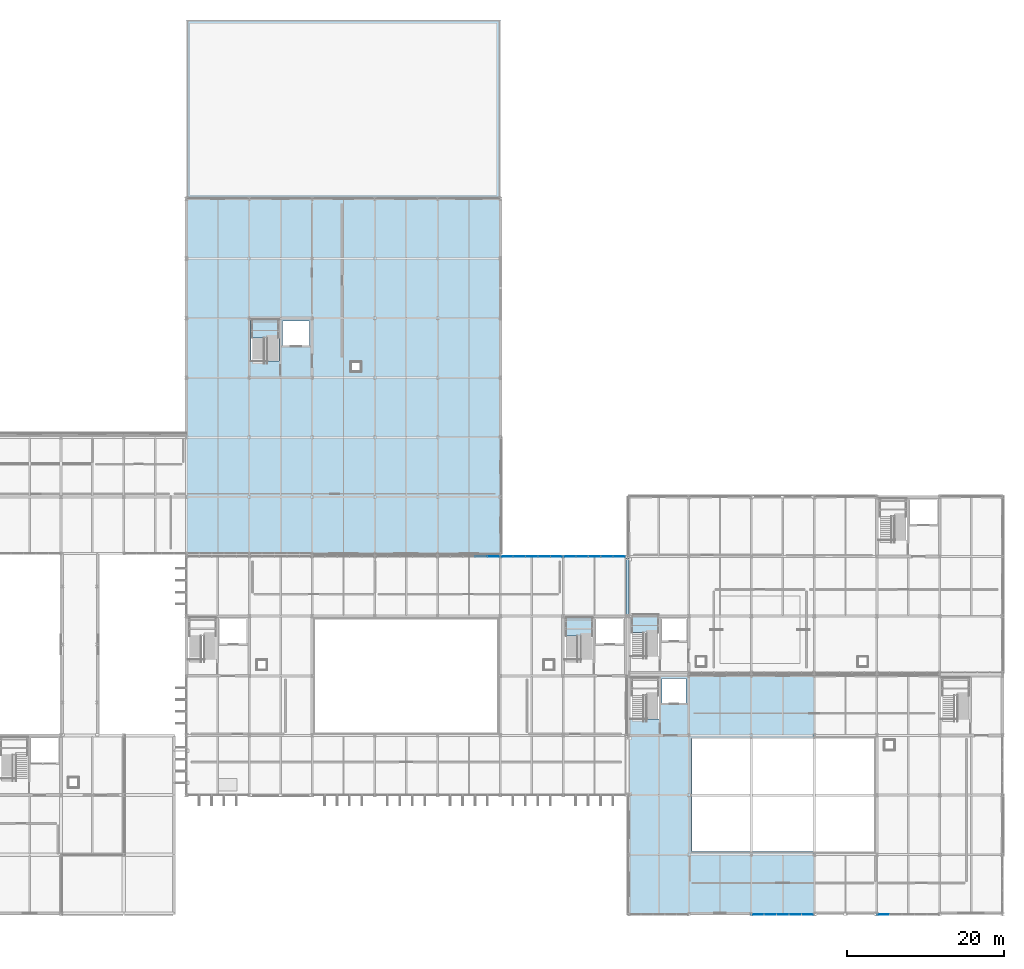
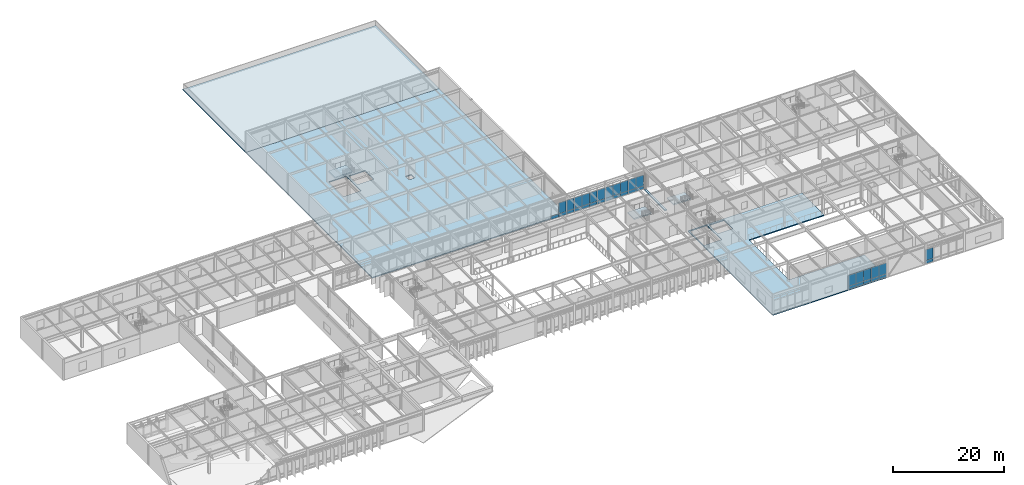
# One storey, part 74 of 104: 35 plates, 7 slabs, 9 elements without a shape of their own.
"""IFC4 building model written with IfcOpenShell, lengths in metres."""

from ifc_helpers import new_model, si_unit, direction, frame, origin, origin_2d, place, context, subcontext, project, spatial, polyline, rectangle, outline, extrude, material, layer, layer_set, type_object, element, aggregate, save


model = new_model("IFC4")

# Units and contexts
model_context = context("Model", 3, precision=1e-05, world=origin(), true_north=direction((0.0, 1.0)))
body_context = subcontext(model_context, "Body", "Model", "MODEL_VIEW")
ifc_project = project(units=[si_unit("LENGTHUNIT", "METRE"), si_unit("AREAUNIT", "SQUARE_METRE"), si_unit("VOLUMEUNIT", "CUBIC_METRE"), si_unit("PLANEANGLEUNIT", "RADIAN"), si_unit("MASSUNIT", "GRAM", prefix="KILO")], contexts=[model_context])

# Site, building, storey
site_placement = place(None, origin())
site = spatial("IfcSite", under=ifc_project, at=site_placement, CompositionType="ELEMENT")
building_placement = place(site_placement, origin())
building = spatial("IfcBuilding", under=site, at=building_placement, Name="Zulena Civic Courthouse", CompositionType="ELEMENT")
storey_placement = place(building_placement, frame((0.0, 0.0, 10.800048828125)))
storey = spatial("IfcBuildingStorey", under=building, at=storey_placement, Name="L02", CompositionType="ELEMENT", Elevation=10.800048828125)

# Slab
ifc_material_1 = material(Name="Concrete C35/45", Category="concrete")
ifc_layer_1 = layer(ifc_material_1, 0.195068359375)
ifc_layer_set_1 = layer_set([ifc_layer_1], Name="Concrete C35/45")
slab_type_1 = type_object("IfcSlabType", Name="BridgeSlab_195", PredefinedType="FLOOR", material=ifc_layer_set_1)
slab_1_placement = place(storey_placement, frame((0.0, 0.0, -0.195068359375)))
element("IfcSlab", 1, at=slab_1_placement, inside=storey, type_object=slab_type_1, Name="slab:bridge:BR-43:L02", PredefinedType="FLOOR", context=body_context, shape_type="SweptSolid", body=[
    extrude(outline(polyline([(124.0, 38.0), (124.39990234375, 38.0), (124.39990234375, 45.39990234375), (124.0, 45.39990234375), (124.0, 38.0)])), origin(), (0.0, 0.0, 1.0), 0.195068359375),
])

# Curtain wall, plate
ifc_material_2 = material(Name="Double-silver low-E laminated solar-control glass", Category="glass")
curtain_wall_type = type_object("IfcCurtainWallType", Name="CW_7940x3690", PredefinedType="USERDEFINED", material=ifc_material_2)
curtain_wall_1_placement = place(storey_placement, origin())
curtain_wall_1 = element("IfcCurtainWall", 2, at=curtain_wall_1_placement, inside=storey, type_object=curtain_wall_type, Name="cw:V1:L02:3:1", ObjectType="UNITISED CURTAIN WALL", PredefinedType="USERDEFINED")
ifc_material_3 = material(Name="Ceramic-fritted insulated spandrel glass", Category="glass")
ifc_layer_2 = layer(ifc_material_3, 0.0458984375)
ifc_layer_set_2 = layer_set([ifc_layer_2], Name="Ceramic-fritted insulated spandrel glass")
plate_type_1 = type_object("IfcPlateType", Name="CWPanel_Spandrel_46", PredefinedType="CURTAIN_PANEL", material=ifc_layer_set_2)
plate_1_placement = place(storey_placement, frame((156.823974609375, 0.0, 0.070068359375), z_axis=(0.0, 0.0, 1.0), x_axis=(-1.0, 0.0, 0.0)))
plate_1 = element("IfcPlate", 3, at=plate_1_placement, type_object=plate_type_1, Name="cw:V1:L02:3:1:panS:4", PredefinedType="CURTAIN_PANEL", context=body_context, shape_type="SweptSolid", body=[
    extrude(rectangle(XDim=1.5380859375, YDim=0.0458984375, at=origin_2d()), origin(), (0.0, 0.0, 1.0), 0.669921875),
])

# Curtain wall, plates
curtain_wall_2_placement = place(storey_placement, origin())
curtain_wall_2 = element("IfcCurtainWall", 4, at=curtain_wall_2_placement, inside=storey, type_object=curtain_wall_type, Name="cw:V1:L02:3:3", ObjectType="UNITISED CURTAIN WALL", PredefinedType="USERDEFINED")
plate_2_placement = place(storey_placement, frame((147.176025390625, 0.0, 0.070068359375), z_axis=(0.0, 0.0, 1.0), x_axis=(-1.0, 0.0, 0.0)))
plate_2 = element("IfcPlate", 5, at=plate_2_placement, type_object=plate_type_1, Name="cw:V1:L02:3:3:panS:0", PredefinedType="CURTAIN_PANEL", context=body_context, shape_type="SweptSolid", body=[
    extrude(rectangle(XDim=1.5380859375, YDim=0.0458984375, at=origin_2d()), origin(), (0.0, 0.0, 1.0), 0.669921875),
])
plate_3_placement = place(storey_placement, frame((145.587890625, 0.0, 0.070068359375), z_axis=(0.0, 0.0, 1.0), x_axis=(-1.0, 0.0, 0.0)))
plate_3 = element("IfcPlate", 6, at=plate_3_placement, type_object=plate_type_1, Name="cw:V1:L02:3:3:panS:1", PredefinedType="CURTAIN_PANEL", context=body_context, shape_type="SweptSolid", body=[
    extrude(rectangle(XDim=1.5380859375, YDim=0.0458984375, at=origin_2d()), origin(), (0.0, 0.0, 1.0), 0.669921875),
])
plate_4_placement = place(storey_placement, frame((144.0, 0.0, 0.070068359375), z_axis=(0.0, 0.0, 1.0), x_axis=(-1.0, 0.0, 0.0)))
plate_4 = element("IfcPlate", 7, at=plate_4_placement, type_object=plate_type_1, Name="cw:V1:L02:3:3:panS:2", PredefinedType="CURTAIN_PANEL", context=body_context, shape_type="SweptSolid", body=[
    extrude(rectangle(XDim=1.5380859375, YDim=0.0458984375, at=origin_2d()), origin(), (0.0, 0.0, 1.0), 0.669921875),
])
plate_5_placement = place(storey_placement, frame((142.412109375, 0.0, 0.070068359375), z_axis=(0.0, 0.0, 1.0), x_axis=(-1.0, 0.0, 0.0)))
plate_5 = element("IfcPlate", 8, at=plate_5_placement, type_object=plate_type_1, Name="cw:V1:L02:3:3:panS:3", PredefinedType="CURTAIN_PANEL", context=body_context, shape_type="SweptSolid", body=[
    extrude(rectangle(XDim=1.5380859375, YDim=0.0458984375, at=origin_2d()), origin(), (0.0, 0.0, 1.0), 0.669921875),
])
plate_6_placement = place(storey_placement, frame((140.823974609375, 0.0, 0.070068359375), z_axis=(0.0, 0.0, 1.0), x_axis=(-1.0, 0.0, 0.0)))
plate_6 = element("IfcPlate", 9, at=plate_6_placement, type_object=plate_type_1, Name="cw:V1:L02:3:3:panS:4", PredefinedType="CURTAIN_PANEL", context=body_context, shape_type="SweptSolid", body=[
    extrude(rectangle(XDim=1.5380859375, YDim=0.0458984375, at=origin_2d()), origin(), (0.0, 0.0, 1.0), 0.669921875),
])

curtain_wall_3_placement = place(storey_placement, origin())
curtain_wall_3 = element("IfcCurtainWall", 10, at=curtain_wall_3_placement, inside=storey, type_object=curtain_wall_type, Name="cw:V4:L02:1:4", ObjectType="UNITISED CURTAIN WALL", PredefinedType="USERDEFINED")
plate_7_placement = place(storey_placement, frame((105.587890625, 45.60009765625, 0.070068359375), z_axis=(0.0, 0.0, 1.0), x_axis=(1.0, 0.0, 0.0)))
plate_7 = element("IfcPlate", 11, at=plate_7_placement, type_object=plate_type_1, Name="cw:V4:L02:1:4:panS:3", PredefinedType="CURTAIN_PANEL", context=body_context, shape_type="SweptSolid", body=[
    extrude(rectangle(XDim=1.5380859375, YDim=0.0458984375, at=origin_2d()), origin(), (0.0, 0.0, 1.0), 0.669921875),
])
plate_8_placement = place(storey_placement, frame((107.176025390625, 45.60009765625, 0.070068359375), z_axis=(0.0, 0.0, 1.0), x_axis=(1.0, 0.0, 0.0)))
plate_8 = element("IfcPlate", 12, at=plate_8_placement, type_object=plate_type_1, Name="cw:V4:L02:1:4:panS:4", PredefinedType="CURTAIN_PANEL", context=body_context, shape_type="SweptSolid", body=[
    extrude(rectangle(XDim=1.5380859375, YDim=0.0458984375, at=origin_2d()), origin(), (0.0, 0.0, 1.0), 0.669921875),
])

curtain_wall_4_placement = place(storey_placement, origin())
curtain_wall_4 = element("IfcCurtainWall", 13, at=curtain_wall_4_placement, inside=storey, type_object=curtain_wall_type, Name="cw:V4:L02:1:5", ObjectType="UNITISED CURTAIN WALL", PredefinedType="USERDEFINED")
plate_9_placement = place(storey_placement, frame((108.823974609375, 45.60009765625, 0.070068359375), z_axis=(0.0, 0.0, 1.0), x_axis=(1.0, 0.0, 0.0)))
plate_9 = element("IfcPlate", 14, at=plate_9_placement, type_object=plate_type_1, Name="cw:V4:L02:1:5:panS:0", PredefinedType="CURTAIN_PANEL", context=body_context, shape_type="SweptSolid", body=[
    extrude(rectangle(XDim=1.5380859375, YDim=0.0458984375, at=origin_2d()), origin(), (0.0, 0.0, 1.0), 0.669921875),
])
plate_10_placement = place(storey_placement, frame((110.412109375, 45.60009765625, 0.070068359375), z_axis=(0.0, 0.0, 1.0), x_axis=(1.0, 0.0, 0.0)))
plate_10 = element("IfcPlate", 15, at=plate_10_placement, type_object=plate_type_1, Name="cw:V4:L02:1:5:panS:1", PredefinedType="CURTAIN_PANEL", context=body_context, shape_type="SweptSolid", body=[
    extrude(rectangle(XDim=1.5380859375, YDim=0.0458984375, at=origin_2d()), origin(), (0.0, 0.0, 1.0), 0.669921875),
])
plate_11_placement = place(storey_placement, frame((112.0, 45.60009765625, 0.070068359375), z_axis=(0.0, 0.0, 1.0), x_axis=(1.0, 0.0, 0.0)))
plate_11 = element("IfcPlate", 16, at=plate_11_placement, type_object=plate_type_1, Name="cw:V4:L02:1:5:panS:2", PredefinedType="CURTAIN_PANEL", context=body_context, shape_type="SweptSolid", body=[
    extrude(rectangle(XDim=1.5380859375, YDim=0.0458984375, at=origin_2d()), origin(), (0.0, 0.0, 1.0), 0.669921875),
])
plate_12_placement = place(storey_placement, frame((113.587890625, 45.60009765625, 0.070068359375), z_axis=(0.0, 0.0, 1.0), x_axis=(1.0, 0.0, 0.0)))
plate_12 = element("IfcPlate", 17, at=plate_12_placement, type_object=plate_type_1, Name="cw:V4:L02:1:5:panS:3", PredefinedType="CURTAIN_PANEL", context=body_context, shape_type="SweptSolid", body=[
    extrude(rectangle(XDim=1.5380859375, YDim=0.0458984375, at=origin_2d()), origin(), (0.0, 0.0, 1.0), 0.669921875),
])
plate_13_placement = place(storey_placement, frame((115.176025390625, 45.60009765625, 0.070068359375), z_axis=(0.0, 0.0, 1.0), x_axis=(1.0, 0.0, 0.0)))
plate_13 = element("IfcPlate", 18, at=plate_13_placement, type_object=plate_type_1, Name="cw:V4:L02:1:5:panS:4", PredefinedType="CURTAIN_PANEL", context=body_context, shape_type="SweptSolid", body=[
    extrude(rectangle(XDim=1.5380859375, YDim=0.0458984375, at=origin_2d()), origin(), (0.0, 0.0, 1.0), 0.669921875),
])

curtain_wall_5_placement = place(storey_placement, origin())
curtain_wall_5 = element("IfcCurtainWall", 19, at=curtain_wall_5_placement, inside=storey, type_object=curtain_wall_type, Name="cw:V4:L02:1:6", ObjectType="UNITISED CURTAIN WALL", PredefinedType="USERDEFINED")
plate_14_placement = place(storey_placement, frame((116.823974609375, 45.60009765625, 0.070068359375), z_axis=(0.0, 0.0, 1.0), x_axis=(1.0, 0.0, 0.0)))
plate_14 = element("IfcPlate", 20, at=plate_14_placement, type_object=plate_type_1, Name="cw:V4:L02:1:6:panS:0", PredefinedType="CURTAIN_PANEL", context=body_context, shape_type="SweptSolid", body=[
    extrude(rectangle(XDim=1.5380859375, YDim=0.0458984375, at=origin_2d()), origin(), (0.0, 0.0, 1.0), 0.669921875),
])
plate_15_placement = place(storey_placement, frame((118.412109375, 45.60009765625, 0.070068359375), z_axis=(0.0, 0.0, 1.0), x_axis=(1.0, 0.0, 0.0)))
plate_15 = element("IfcPlate", 21, at=plate_15_placement, type_object=plate_type_1, Name="cw:V4:L02:1:6:panS:1", PredefinedType="CURTAIN_PANEL", context=body_context, shape_type="SweptSolid", body=[
    extrude(rectangle(XDim=1.5380859375, YDim=0.0458984375, at=origin_2d()), origin(), (0.0, 0.0, 1.0), 0.669921875),
])
plate_16_placement = place(storey_placement, frame((120.0, 45.60009765625, 0.070068359375), z_axis=(0.0, 0.0, 1.0), x_axis=(1.0, 0.0, 0.0)))
plate_16 = element("IfcPlate", 22, at=plate_16_placement, type_object=plate_type_1, Name="cw:V4:L02:1:6:panS:2", PredefinedType="CURTAIN_PANEL", context=body_context, shape_type="SweptSolid", body=[
    extrude(rectangle(XDim=1.5380859375, YDim=0.0458984375, at=origin_2d()), origin(), (0.0, 0.0, 1.0), 0.669921875),
])
plate_17_placement = place(storey_placement, frame((121.587890625, 45.60009765625, 0.070068359375), z_axis=(0.0, 0.0, 1.0), x_axis=(1.0, 0.0, 0.0)))
plate_17 = element("IfcPlate", 23, at=plate_17_placement, type_object=plate_type_1, Name="cw:V4:L02:1:6:panS:3", PredefinedType="CURTAIN_PANEL", context=body_context, shape_type="SweptSolid", body=[
    extrude(rectangle(XDim=1.5380859375, YDim=0.0458984375, at=origin_2d()), origin(), (0.0, 0.0, 1.0), 0.669921875),
])
plate_18_placement = place(storey_placement, frame((123.176025390625, 45.60009765625, 0.070068359375), z_axis=(0.0, 0.0, 1.0), x_axis=(1.0, 0.0, 0.0)))
plate_18 = element("IfcPlate", 24, at=plate_18_placement, type_object=plate_type_1, Name="cw:V4:L02:1:6:panS:4", PredefinedType="CURTAIN_PANEL", context=body_context, shape_type="SweptSolid", body=[
    extrude(rectangle(XDim=1.5380859375, YDim=0.0458984375, at=origin_2d()), origin(), (0.0, 0.0, 1.0), 0.669921875),
])

# Plate
ifc_layer_3 = layer(ifc_material_2, 0.035888671875)
ifc_layer_set_3 = layer_set([ifc_layer_3], Name="Double-silver low-E laminated solar-control glass")
plate_type_2 = type_object("IfcPlateType", Name="CWPanel_Vision_36", PredefinedType="CURTAIN_PANEL", material=ifc_layer_set_3)
plate_19_placement = place(storey_placement, frame((156.823974609375, 0.0, 0.760009765625), z_axis=(0.0, 0.0, 1.0), x_axis=(-1.0, 0.0, 0.0)))
plate_19 = element("IfcPlate", 25, at=plate_19_placement, type_object=plate_type_2, Name="cw:V1:L02:3:1:panV:4", PredefinedType="CURTAIN_PANEL", context=body_context, shape_type="SweptSolid", body=[
    extrude(rectangle(XDim=1.5380859375, YDim=0.035888671875, at=origin_2d()), origin(), (0.0, 0.0, 1.0), 2.3701171875),
])

aggregate(curtain_wall_1, [plate_19, plate_1])

plate_20_placement = place(storey_placement, frame((147.176025390625, 0.0, 0.760009765625), z_axis=(0.0, 0.0, 1.0), x_axis=(-1.0, 0.0, 0.0)))
plate_20 = element("IfcPlate", 26, at=plate_20_placement, type_object=plate_type_2, Name="cw:V1:L02:3:3:panV:0", PredefinedType="CURTAIN_PANEL", context=body_context, shape_type="SweptSolid", body=[
    extrude(rectangle(XDim=1.5380859375, YDim=0.035888671875, at=origin_2d()), origin(), (0.0, 0.0, 1.0), 2.3701171875),
])

plate_21_placement = place(storey_placement, frame((145.587890625, 0.0, 0.760009765625), z_axis=(0.0, 0.0, 1.0), x_axis=(-1.0, 0.0, 0.0)))
plate_21 = element("IfcPlate", 27, at=plate_21_placement, type_object=plate_type_2, Name="cw:V1:L02:3:3:panV:1", PredefinedType="CURTAIN_PANEL", context=body_context, shape_type="SweptSolid", body=[
    extrude(rectangle(XDim=1.5380859375, YDim=0.035888671875, at=origin_2d()), origin(), (0.0, 0.0, 1.0), 2.3701171875),
])

plate_22_placement = place(storey_placement, frame((144.0, 0.0, 0.760009765625), z_axis=(0.0, 0.0, 1.0), x_axis=(-1.0, 0.0, 0.0)))
plate_22 = element("IfcPlate", 28, at=plate_22_placement, type_object=plate_type_2, Name="cw:V1:L02:3:3:panV:2", PredefinedType="CURTAIN_PANEL", context=body_context, shape_type="SweptSolid", body=[
    extrude(rectangle(XDim=1.5380859375, YDim=0.035888671875, at=origin_2d()), origin(), (0.0, 0.0, 1.0), 2.3701171875),
])

plate_23_placement = place(storey_placement, frame((142.412109375, 0.0, 0.760009765625), z_axis=(0.0, 0.0, 1.0), x_axis=(-1.0, 0.0, 0.0)))
plate_23 = element("IfcPlate", 29, at=plate_23_placement, type_object=plate_type_2, Name="cw:V1:L02:3:3:panV:3", PredefinedType="CURTAIN_PANEL", context=body_context, shape_type="SweptSolid", body=[
    extrude(rectangle(XDim=1.5380859375, YDim=0.035888671875, at=origin_2d()), origin(), (0.0, 0.0, 1.0), 2.3701171875),
])

plate_24_placement = place(storey_placement, frame((140.823974609375, 0.0, 0.760009765625), z_axis=(0.0, 0.0, 1.0), x_axis=(-1.0, 0.0, 0.0)))
plate_24 = element("IfcPlate", 30, at=plate_24_placement, type_object=plate_type_2, Name="cw:V1:L02:3:3:panV:4", PredefinedType="CURTAIN_PANEL", context=body_context, shape_type="SweptSolid", body=[
    extrude(rectangle(XDim=1.5380859375, YDim=0.035888671875, at=origin_2d()), origin(), (0.0, 0.0, 1.0), 2.3701171875),
])

aggregate(curtain_wall_2, [plate_20, plate_2, plate_21, plate_3, plate_22, plate_4, plate_23, plate_5, plate_24, plate_6])

plate_25_placement = place(storey_placement, frame((107.176025390625, 45.60009765625, 0.760009765625), z_axis=(0.0, 0.0, 1.0), x_axis=(1.0, 0.0, 0.0)))
plate_25 = element("IfcPlate", 31, at=plate_25_placement, type_object=plate_type_2, Name="cw:V4:L02:1:4:panV:4", PredefinedType="CURTAIN_PANEL", context=body_context, shape_type="SweptSolid", body=[
    extrude(rectangle(XDim=1.5380859375, YDim=0.035888671875, at=origin_2d()), origin(), (0.0, 0.0, 1.0), 2.3701171875),
])

aggregate(curtain_wall_3, [plate_7, plate_25, plate_8])

plate_26_placement = place(storey_placement, frame((108.823974609375, 45.60009765625, 0.760009765625), z_axis=(0.0, 0.0, 1.0), x_axis=(1.0, 0.0, 0.0)))
plate_26 = element("IfcPlate", 32, at=plate_26_placement, type_object=plate_type_2, Name="cw:V4:L02:1:5:panV:0", PredefinedType="CURTAIN_PANEL", context=body_context, shape_type="SweptSolid", body=[
    extrude(rectangle(XDim=1.5380859375, YDim=0.035888671875, at=origin_2d()), origin(), (0.0, 0.0, 1.0), 2.3701171875),
])

plate_27_placement = place(storey_placement, frame((110.412109375, 45.60009765625, 0.760009765625), z_axis=(0.0, 0.0, 1.0), x_axis=(1.0, 0.0, 0.0)))
plate_27 = element("IfcPlate", 33, at=plate_27_placement, type_object=plate_type_2, Name="cw:V4:L02:1:5:panV:1", PredefinedType="CURTAIN_PANEL", context=body_context, shape_type="SweptSolid", body=[
    extrude(rectangle(XDim=1.5380859375, YDim=0.035888671875, at=origin_2d()), origin(), (0.0, 0.0, 1.0), 2.3701171875),
])

plate_28_placement = place(storey_placement, frame((112.0, 45.60009765625, 0.760009765625), z_axis=(0.0, 0.0, 1.0), x_axis=(1.0, 0.0, 0.0)))
plate_28 = element("IfcPlate", 34, at=plate_28_placement, type_object=plate_type_2, Name="cw:V4:L02:1:5:panV:2", PredefinedType="CURTAIN_PANEL", context=body_context, shape_type="SweptSolid", body=[
    extrude(rectangle(XDim=1.5380859375, YDim=0.035888671875, at=origin_2d()), origin(), (0.0, 0.0, 1.0), 2.3701171875),
])

plate_29_placement = place(storey_placement, frame((113.587890625, 45.60009765625, 0.760009765625), z_axis=(0.0, 0.0, 1.0), x_axis=(1.0, 0.0, 0.0)))
plate_29 = element("IfcPlate", 35, at=plate_29_placement, type_object=plate_type_2, Name="cw:V4:L02:1:5:panV:3", PredefinedType="CURTAIN_PANEL", context=body_context, shape_type="SweptSolid", body=[
    extrude(rectangle(XDim=1.5380859375, YDim=0.035888671875, at=origin_2d()), origin(), (0.0, 0.0, 1.0), 2.3701171875),
])

plate_30_placement = place(storey_placement, frame((115.176025390625, 45.60009765625, 0.760009765625), z_axis=(0.0, 0.0, 1.0), x_axis=(1.0, 0.0, 0.0)))
plate_30 = element("IfcPlate", 36, at=plate_30_placement, type_object=plate_type_2, Name="cw:V4:L02:1:5:panV:4", PredefinedType="CURTAIN_PANEL", context=body_context, shape_type="SweptSolid", body=[
    extrude(rectangle(XDim=1.5380859375, YDim=0.035888671875, at=origin_2d()), origin(), (0.0, 0.0, 1.0), 2.3701171875),
])

aggregate(curtain_wall_4, [plate_26, plate_9, plate_27, plate_10, plate_28, plate_11, plate_29, plate_12, plate_30, plate_13])

plate_31_placement = place(storey_placement, frame((116.823974609375, 45.60009765625, 0.760009765625), z_axis=(0.0, 0.0, 1.0), x_axis=(1.0, 0.0, 0.0)))
plate_31 = element("IfcPlate", 37, at=plate_31_placement, type_object=plate_type_2, Name="cw:V4:L02:1:6:panV:0", PredefinedType="CURTAIN_PANEL", context=body_context, shape_type="SweptSolid", body=[
    extrude(rectangle(XDim=1.5380859375, YDim=0.035888671875, at=origin_2d()), origin(), (0.0, 0.0, 1.0), 2.3701171875),
])

plate_32_placement = place(storey_placement, frame((118.412109375, 45.60009765625, 0.760009765625), z_axis=(0.0, 0.0, 1.0), x_axis=(1.0, 0.0, 0.0)))
plate_32 = element("IfcPlate", 38, at=plate_32_placement, type_object=plate_type_2, Name="cw:V4:L02:1:6:panV:1", PredefinedType="CURTAIN_PANEL", context=body_context, shape_type="SweptSolid", body=[
    extrude(rectangle(XDim=1.5380859375, YDim=0.035888671875, at=origin_2d()), origin(), (0.0, 0.0, 1.0), 2.3701171875),
])

plate_33_placement = place(storey_placement, frame((120.0, 45.60009765625, 0.760009765625), z_axis=(0.0, 0.0, 1.0), x_axis=(1.0, 0.0, 0.0)))
plate_33 = element("IfcPlate", 39, at=plate_33_placement, type_object=plate_type_2, Name="cw:V4:L02:1:6:panV:2", PredefinedType="CURTAIN_PANEL", context=body_context, shape_type="SweptSolid", body=[
    extrude(rectangle(XDim=1.5380859375, YDim=0.035888671875, at=origin_2d()), origin(), (0.0, 0.0, 1.0), 2.3701171875),
])

plate_34_placement = place(storey_placement, frame((121.587890625, 45.60009765625, 0.760009765625), z_axis=(0.0, 0.0, 1.0), x_axis=(1.0, 0.0, 0.0)))
plate_34 = element("IfcPlate", 40, at=plate_34_placement, type_object=plate_type_2, Name="cw:V4:L02:1:6:panV:3", PredefinedType="CURTAIN_PANEL", context=body_context, shape_type="SweptSolid", body=[
    extrude(rectangle(XDim=1.5380859375, YDim=0.035888671875, at=origin_2d()), origin(), (0.0, 0.0, 1.0), 2.3701171875),
])

plate_35_placement = place(storey_placement, frame((123.176025390625, 45.60009765625, 0.760009765625), z_axis=(0.0, 0.0, 1.0), x_axis=(1.0, 0.0, 0.0)))
plate_35 = element("IfcPlate", 41, at=plate_35_placement, type_object=plate_type_2, Name="cw:V4:L02:1:6:panV:4", PredefinedType="CURTAIN_PANEL", context=body_context, shape_type="SweptSolid", body=[
    extrude(rectangle(XDim=1.5380859375, YDim=0.035888671875, at=origin_2d()), origin(), (0.0, 0.0, 1.0), 2.3701171875),
])

aggregate(curtain_wall_5, [plate_31, plate_14, plate_32, plate_15, plate_33, plate_16, plate_34, plate_17, plate_35, plate_18])

# Roof, slab
ifc_material_4 = material(Name="Insulated standing-seam zinc-aluminium roofing", Category="aluminium")
ifc_layer_4 = layer(ifc_material_4, 0.205078125)
ifc_layer_set_4 = layer_set([ifc_layer_4], Name="Insulated standing-seam zinc-aluminium roofing")
roof_type = type_object("IfcRoofType", Name="FlatRoofAssembly", PredefinedType="FLAT_ROOF", material=ifc_layer_set_4)
roof_placement = place(storey_placement, origin())
roof = element("IfcRoof", 42, at=roof_placement, inside=storey, type_object=roof_type, Name="roof:V5:L02", PredefinedType="FLAT_ROOF")
ifc_layer_5 = layer(ifc_material_1, 0.205078125)
ifc_layer_set_5 = layer_set([ifc_layer_5], Name="Concrete C35/45")
slab_type_2 = type_object("IfcSlabType", Name="FlatRoofSlab_205", PredefinedType="ROOF", material=ifc_layer_set_5)
slab_2_placement = place(storey_placement, frame((0.0, 0.0, -0.205078125)))
slab_2 = element("IfcSlab", 43, at=slab_2_placement, type_object=slab_type_2, Name="slab:roof:V5_sallyport:L02", PredefinedType="ROOF", context=body_context, shape_type="SweptSolid", body=[
    extrude(outline(polyline([(68.0, 91.199951171875), (108.0, 91.199951171875), (108.0, 114.0), (68.0, 114.0), (68.0, 91.199951171875)])), origin(), (0.0, 0.0, 1.0), 0.205078125),
])
aggregate(roof, [slab_2])

# Slabs
ifc_layer_6 = layer(ifc_material_1, 0.215087890625)
ifc_layer_set_6 = layer_set([ifc_layer_6], Name="Concrete C35/45")
slab_type_3 = type_object("IfcSlabType", Name="FloorSlab_215", PredefinedType="FLOOR", material=ifc_layer_set_6)
slab_3_placement = place(storey_placement, frame((0.0, 0.0, -0.215087890625)))
element("IfcSlab", 44, at=slab_3_placement, inside=storey, type_object=slab_type_3, Name="slab:V1:L02_1", PredefinedType="FLOOR", context=body_context, shape_type="SweptSolid", body=[
    extrude(outline(polyline([(148.0, 30.39990234375), (148.0, 22.39990234375), (132.39990234375, 22.39990234375), (132.39990234375, 8.0), (148.0, 8.0), (148.0, 0.0), (124.39990234375, 0.0), (124.39990234375, 30.39990234375), (148.0, 30.39990234375)]), holes=[polyline([(128.2099609375, 30.2099609375), (124.590087890625, 30.2099609375), (124.590087890625, 24.919921875), (128.2099609375, 24.919921875), (128.2099609375, 30.2099609375)]), polyline([(131.64990234375, 26.89990234375), (131.64990234375, 30.050048828125), (128.60009765625, 30.050048828125), (128.60009765625, 26.89990234375), (131.64990234375, 26.89990234375)])]), origin(), (0.0, 0.0, 1.0), 0.215087890625),
])
slab_4_placement = place(storey_placement, frame((0.0, 0.0, -0.215087890625)))
element("IfcSlab", 45, at=slab_4_placement, inside=storey, type_object=slab_type_3, Name="slab:V5:L02_2", PredefinedType="FLOOR", context=body_context, shape_type="SweptSolid", body=[
    extrude(outline(polyline([(68.0, 91.199951171875), (108.0, 91.199951171875), (108.0, 46.0), (68.0, 46.0), (68.0, 61.199951171875), (68.0, 91.199951171875)]), holes=[polyline([(79.81005859375, 70.52001953125), (79.81005859375, 75.81005859375), (76.18994140625, 75.81005859375), (76.18994140625, 70.52001953125), (79.81005859375, 70.52001953125)]), polyline([(80.199951171875, 72.5), (83.64990234375, 72.5), (83.64990234375, 75.64990234375), (80.199951171875, 75.64990234375), (80.199951171875, 72.5)]), polyline([(90.199951171875, 70.39990234375), (89.0, 70.39990234375), (89.0, 69.199951171875), (90.199951171875, 69.199951171875), (90.199951171875, 70.39990234375)])]), origin(), (0.0, 0.0, 1.0), 0.215087890625),
])

# Stair, slab
ifc_material_5 = material(Name="Precast concrete C40/50", Category="concrete")
stair_type = type_object("IfcStairType", Name="HalfTurnStair_4800", PredefinedType="HALF_TURN_STAIR", material=ifc_material_5)
stair_1_placement = place(storey_placement, origin())
stair_1 = element("IfcStair", 46, at=stair_1_placement, inside=storey, type_object=stair_type, Name="stair:K3A:L02", PredefinedType="HALF_TURN_STAIR")
ifc_layer_7 = layer(ifc_material_5, 0.280029296875)
ifc_layer_set_7 = layer_set([ifc_layer_7], Name="Precast concrete C40/50")
slab_type_4 = type_object("IfcSlabType", Name="StairLandingSlab_280", PredefinedType="LANDING", material=ifc_layer_set_7)
slab_5_placement = place(storey_placement, frame((0.0, 0.0, 2.119873046875)))
slab_5 = element("IfcSlab", 47, at=slab_5_placement, type_object=slab_type_4, Name="stair:K3A:L02:LND", PredefinedType="LANDING", context=body_context, shape_type="SweptSolid", body=[
    extrude(outline(polyline([(124.580078125, 35.89453125), (128.219970703125, 35.89453125), (128.219970703125, 38.219970703125), (124.580078125, 38.219970703125), (124.580078125, 35.89453125)])), origin(), (0.0, 0.0, 1.0), 0.280029296875),
])
aggregate(stair_1, [slab_5])

stair_2_placement = place(storey_placement, origin())
stair_2 = element("IfcStair", 48, at=stair_2_placement, inside=storey, type_object=stair_type, Name="stair:K4B:L02", PredefinedType="HALF_TURN_STAIR")
slab_6_placement = place(storey_placement, frame((0.0, 0.0, 2.119873046875)))
slab_6 = element("IfcSlab", 49, at=slab_6_placement, type_object=slab_type_4, Name="stair:K4B:L02:LND", PredefinedType="LANDING", context=body_context, shape_type="SweptSolid", body=[
    extrude(outline(polyline([(116.179931640625, 35.49462890625), (119.820068359375, 35.49462890625), (119.820068359375, 37.820068359375), (116.179931640625, 37.820068359375), (116.179931640625, 35.49462890625)])), origin(), (0.0, 0.0, 1.0), 0.280029296875),
])
aggregate(stair_2, [slab_6])

stair_3_placement = place(storey_placement, origin())
stair_3 = element("IfcStair", 50, at=stair_3_placement, inside=storey, type_object=stair_type, Name="stair:K5B:L02", PredefinedType="HALF_TURN_STAIR")
slab_7_placement = place(storey_placement, frame((0.0, 0.0, 2.119873046875)))
slab_7 = element("IfcSlab", 51, at=slab_7_placement, type_object=slab_type_4, Name="stair:K5B:L02:LND", PredefinedType="LANDING", context=body_context, shape_type="SweptSolid", body=[
    extrude(outline(polyline([(76.179931640625, 73.49462890625), (79.820068359375, 73.49462890625), (79.820068359375, 75.820068359375), (76.179931640625, 75.820068359375), (76.179931640625, 73.49462890625)])), origin(), (0.0, 0.0, 1.0), 0.280029296875),
])
aggregate(stair_3, [slab_7])

save(model, "model.ifc")
